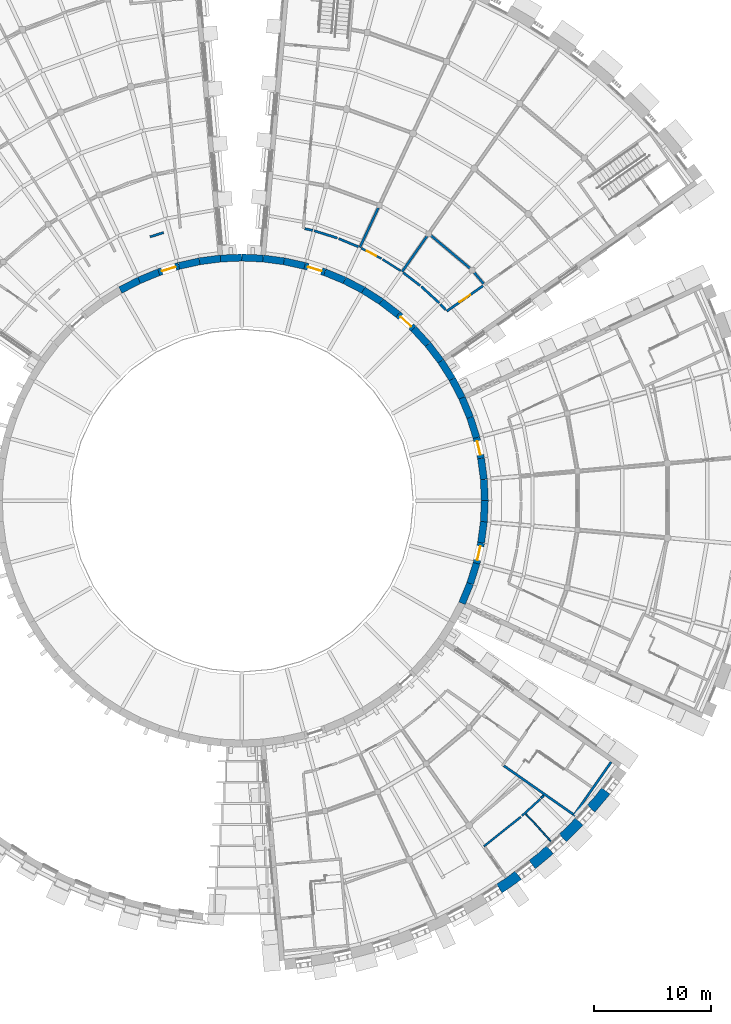
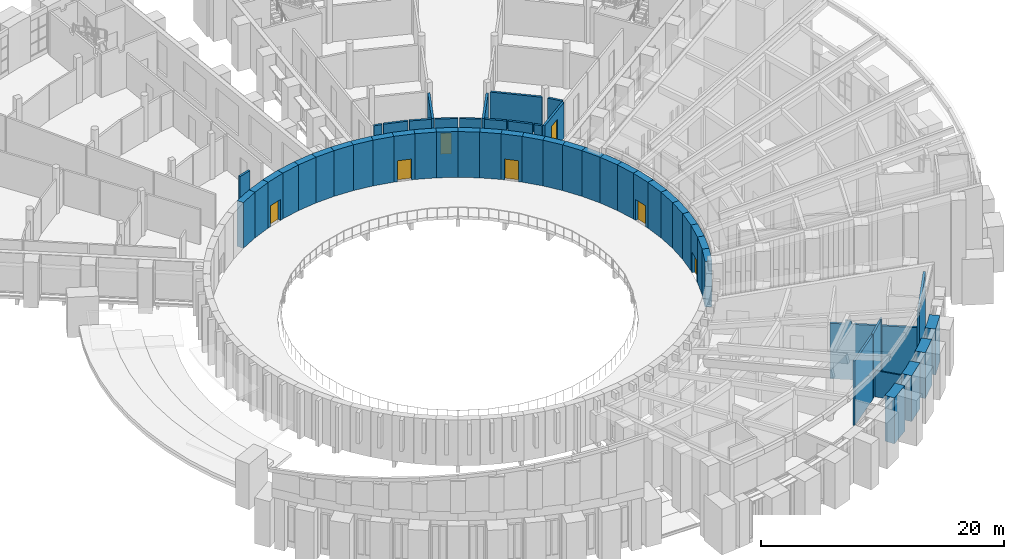
# One storey, part 27 of 50: 53 walls, 7 doors, 7 openings.
"""IFC4 building model written with IfcOpenShell, lengths in metres."""

import ifcopenshell
import ifcopenshell.guid

model = None  # the IFC model being written
_history = None  # IfcOwnerHistory: only IFC2X3 demands one
_inside = {}  # id of a spatial element -> (the spatial element, [elements in it])
_under = {}  # id of a project, library or spatial element -> (it, [spatial elements below it])
_declared = {}  # id of a project -> (the project, [libraries it declares])
_typed = {}  # id of a type object -> (the type object, [elements of that type])
_made_of = {}  # id of a material, layer set ... -> (it, [elements and type objects made of it])


def new_model(schema):
    """Start an empty IFC model of exactly this schema.

    Asked for "IFC4X3", IfcOpenShell would pick the latest addendum, in which some entities
    have other attributes; the version numbers below select the first issue.
    IFC2X3 requires an IfcOwnerHistory on every rooted entity: one is made here for all.
    """
    global model, _history
    if schema == "IFC4X3":
        model = ifcopenshell.file(schema_version=(4, 3, 0, 0))
    else:
        model = ifcopenshell.file(schema=schema)
    _inside.clear()
    _under.clear()
    _declared.clear()
    _typed.clear()
    _made_of.clear()
    _history = None
    if model.schema == "IFC2X3":
        org = make("IfcOrganization", Name="unknown")
        user = make(
            "IfcPersonAndOrganization",
            ThePerson=make("IfcPerson", FamilyName="unknown"),
            TheOrganization=org,
        )
        app = make(
            "IfcApplication",
            ApplicationDeveloper=org,
            Version="unknown",
            ApplicationFullName="unknown",
            ApplicationIdentifier="unknown",
        )
        _history = make(
            "IfcOwnerHistory",
            OwningUser=user,
            OwningApplication=app,
            ChangeAction="ADDED",
            CreationDate=0,
        )
    return model


def make(cls, **values):
    """One entity of the class cls with the attributes given. An attribute that is None is left unset."""
    return model.create_entity(
        cls, **{name: value for name, value in values.items() if value is not None}
    )


def rooted(cls, **values):
    """An entity with a GlobalId (a new one), such as an element, a storey or a relation."""
    return make(cls, GlobalId=ifcopenshell.guid.new(), OwnerHistory=_history, **values)


def si_unit(unit_type, name, prefix=None):
    """IfcSIUnit, for example si_unit("LENGTHUNIT", "METRE", prefix="MILLI")."""
    return make("IfcSIUnit", UnitType=unit_type, Prefix=prefix, Name=name)


def assignment(units):
    """IfcUnitAssignment: the units of a project."""
    return None if units is None else make("IfcUnitAssignment", Units=units)


def point(xyz):
    """IfcCartesianPoint."""
    return None if xyz is None else make("IfcCartesianPoint", Coordinates=xyz)


def direction(xyz):
    """IfcDirection."""
    return None if xyz is None else make("IfcDirection", DirectionRatios=xyz)


def frame(location, z_axis=None, x_axis=None):
    """IfcAxis2Placement3D, a coordinate frame: its origin and axes. An axis left out is left unset."""
    return make(
        "IfcAxis2Placement3D",
        Location=point(location),
        Axis=direction(z_axis),
        RefDirection=direction(x_axis),
    )


def frame_2d(location, x_axis=None):
    """IfcAxis2Placement2D, a coordinate frame in the plane: its origin and x axis."""
    return make(
        "IfcAxis2Placement2D", Location=point(location), RefDirection=direction(x_axis)
    )


def origin():
    """The frame at (0, 0, 0) with its axes left unset."""
    return frame((0.0, 0.0, 0.0))


def place(relative_to, where):
    """IfcLocalPlacement: puts the frame where relative to a parent placement (None: the world)."""
    return make(
        "IfcLocalPlacement", PlacementRelTo=relative_to, RelativePlacement=where
    )


def context(
    kind, dimensions, precision=None, world=None, true_north=None, identifier=None
):
    """IfcGeometricRepresentationContext, for example the 3D "Model" context."""
    return make(
        "IfcGeometricRepresentationContext",
        ContextIdentifier=identifier,
        ContextType=kind,
        CoordinateSpaceDimension=dimensions,
        Precision=precision,
        WorldCoordinateSystem=world,
        TrueNorth=true_north,
    )


def subcontext(parent, identifier, kind, view, scale=None):
    """IfcGeometricRepresentationSubContext, for example "Body" below "Model"."""
    return make(
        "IfcGeometricRepresentationSubContext",
        ContextIdentifier=identifier,
        ContextType=kind,
        ParentContext=parent,
        TargetScale=scale,
        TargetView=view,
    )


def project(units=None, contexts=None):
    """IfcProject with its units and contexts."""
    return rooted(
        "IfcProject",
        Name="project",
        RepresentationContexts=contexts,
        UnitsInContext=assignment(units),
    )


def spatial(cls, under=None, at=None, **own):
    """A site, building, storey or space (cls), placed at a placement, below another one or the project."""
    s = rooted(cls, ObjectPlacement=at, **own)
    if under is not None:
        _under.setdefault(under.id(), (under, []))[1].append(s)
    return s


def polyline(points):
    """IfcPolyline through the points."""
    return make("IfcPolyline", Points=[point(p) for p in points])


def profile(cls, at=None, kind="AREA", **sizes):
    """A parametric profile (cls). Its sizes go by their IFC names, for example OverallWidth=200.0."""
    return make(cls, ProfileType=kind, Position=at, **sizes)


def rectangle(**sizes):
    """IfcRectangleProfileDef."""
    return profile("IfcRectangleProfileDef", **sizes)


def outline(outer, holes=None, kind="AREA"):
    """IfcArbitraryClosedProfileDef: a profile drawn as a closed curve; with holes, ...WithVoids."""
    if holes is None:
        return make("IfcArbitraryClosedProfileDef", ProfileType=kind, OuterCurve=outer)
    return make(
        "IfcArbitraryProfileDefWithVoids",
        ProfileType=kind,
        OuterCurve=outer,
        InnerCurves=holes,
    )


def extrude(swept, where, along, depth):
    """IfcExtrudedAreaSolid: the profile swept, set in the frame where, extruded along a direction by depth."""
    return make(
        "IfcExtrudedAreaSolid",
        SweptArea=swept,
        Position=where,
        ExtrudedDirection=direction(along),
        Depth=depth,
    )


def shape(context_of_items, identifier, shape_type, items):
    """IfcShapeRepresentation: the items that make up one representation, for example the "Body"."""
    return make(
        "IfcShapeRepresentation",
        ContextOfItems=context_of_items,
        RepresentationIdentifier=identifier,
        RepresentationType=shape_type,
        Items=items,
    )


def material(Name=None, Category=None):
    """IfcMaterial."""
    return make("IfcMaterial", Name=Name, Category=Category)


def layer(
    of_material, thickness, ventilated=None, Name=None, Category=None, Priority=None
):
    """IfcMaterialLayer: one layer of a wall or slab, of a material (None: an air gap)."""
    return make(
        "IfcMaterialLayer",
        Material=of_material,
        LayerThickness=thickness,
        IsVentilated=ventilated,
        Name=Name,
        Category=Category,
        Priority=Priority,
    )


def layer_set(layers, Name=None):
    """IfcMaterialLayerSet."""
    return make("IfcMaterialLayerSet", MaterialLayers=layers, LayerSetName=Name)


def made_of(thing, what):
    """Note that an element or type object is made of a material, layer set ...; save() writes the relation."""
    if what is not None:
        _made_of.setdefault(what.id(), (what, []))[1].append(thing)
    return thing


def type_object(cls, material=None, **own):
    """A type object (cls), such as IfcWallType, which elements share."""
    return made_of(rooted(cls, **own), material)


def element(
    cls,
    number,
    at=None,
    inside=None,
    cuts=None,
    type_object=None,
    material=None,
    context=None,
    identifier="Body",
    shape_type=None,
    held_by="IfcProductDefinitionShape",
    body=None,
    shapes=None,
    **own,
):
    """One element of the class cls, such as IfcWall. Its Tag is "e" and its number.

    at: its placement. inside: the storey or other place that contains it. cuts: it is an
    opening in that element (IfcRelVoidsElement). A single representation is given by context,
    identifier, shape_type and body (its items); several are given by shapes. held_by: the class
    of the entity that holds the representations. save() writes the other relations.
    """
    e = rooted(cls, Tag="e%d" % number, ObjectPlacement=at, **own)
    if body is not None:
        shapes = [shape(context, identifier, shape_type, body)]
    if shapes is not None:
        e.Representation = make(held_by, Representations=shapes)
    if inside is not None:
        _inside.setdefault(inside.id(), (inside, []))[1].append(e)
    if cuts is not None:
        rooted(
            "IfcRelVoidsElement", RelatingBuildingElement=cuts, RelatedOpeningElement=e
        )
    if type_object is not None:
        _typed.setdefault(type_object.id(), (type_object, []))[1].append(e)
    return made_of(e, material)


def fill(opening, filler):
    """IfcRelFillsElement: the door or window that sits in an opening."""
    return rooted(
        "IfcRelFillsElement",
        RelatingOpeningElement=opening,
        RelatedBuildingElement=filler,
    )


def aggregate(whole, parts):
    """IfcRelAggregates: a whole, such as a stair, and the parts it consists of."""
    return rooted("IfcRelAggregates", RelatingObject=whole, RelatedObjects=parts)


def save(model, path):
    """Write the relations noted so far, then the file.

    IfcRelAggregates (storeys below a building ...), IfcRelContainedInSpatialStructure (elements
    in a storey), IfcRelDefinesByType, IfcRelAssociatesMaterial and IfcRelDeclares: one each for
    every whole, place, type object, material and project.
    """
    for whole, parts in _under.values():
        aggregate(whole, parts)
    for where, things in _inside.values():
        rooted(
            "IfcRelContainedInSpatialStructure",
            RelatedElements=things,
            RelatingStructure=where,
        )
    for kind, things in _typed.values():
        rooted("IfcRelDefinesByType", RelatedObjects=things, RelatingType=kind)
    for what, things in _made_of.values():
        rooted("IfcRelAssociatesMaterial", RelatedObjects=things, RelatingMaterial=what)
    for by, libraries in _declared.values():
        rooted("IfcRelDeclares", RelatingContext=by, RelatedDefinitions=libraries)
    model.write(path)


model = new_model("IFC4")

# Units and contexts
model_context = context("Model", 3, precision=1e-05, world=origin(), true_north=direction((0.0, 1.0)))
body_context = subcontext(model_context, "Body", "Model", "MODEL_VIEW")
ifc_project = project(units=[si_unit("LENGTHUNIT", "METRE"), si_unit("AREAUNIT", "SQUARE_METRE"), si_unit("VOLUMEUNIT", "CUBIC_METRE"), si_unit("PLANEANGLEUNIT", "RADIAN"), si_unit("MASSUNIT", "GRAM", prefix="KILO")], contexts=[model_context])

# Site, building, storey
site_placement = place(None, origin())
site = spatial("IfcSite", under=ifc_project, at=site_placement, CompositionType="ELEMENT")
building_placement = place(site_placement, origin())
building = spatial("IfcBuilding", under=site, at=building_placement, Name="Volute Hill Aquarium", CompositionType="ELEMENT")
storey_placement = place(building_placement, frame((0.0, 0.0, 9.199951171875)))
storey = spatial("IfcBuildingStorey", under=building, at=storey_placement, Name="L03", CompositionType="ELEMENT", Elevation=9.199951171875)

# Walls
ifc_material_1 = material(Name="Concrete C30/37", Category="concrete")
ifc_layer_1 = layer(ifc_material_1, 0.199951171875)
ifc_layer_set_1 = layer_set([ifc_layer_1], Name="Core wall 200 REI 60")
wall_type_1 = type_object("IfcWallType", Name="Core wall 200 REI 60", PredefinedType="SHEAR", material=ifc_layer_set_1)
wall_1_placement = place(storey_placement, frame((22.3291015625, -22.593505859375, 0.0), z_axis=(0.0, 0.0, 1.0), x_axis=(0.819161821637, -0.573562472597, 0.0)))
element("IfcWall", 1, at=wall_1_placement, inside=storey, type_object=wall_type_1, Name="wc/S3-B/L03/side", PredefinedType="SHEAR", context=body_context, shape_type="SweptSolid", body=[
    extrude(outline(polyline([(0.0, 0.0), (7.199951171875, 0.0), (7.199951171875, 5.5732421875), (1.794189453125, 5.5732421875), (1.744140625, 5.923828125), (1.244140625, 5.923828125), (1.194091796875, 5.5732421875), (0.0, 5.5732421875), (0.0, 0.0)])), frame((0.0, 0.10009765625, 0.0), z_axis=(0.0, -1.0, 0.0), x_axis=(1.0, 0.0, 0.0)), (0.0, 0.0, 1.0), 0.199951171875),
])
wall_2_placement = place(storey_placement, frame((31.463623046875, -22.275146484375, 0.0), z_axis=(0.0, 0.0, 1.0), x_axis=(-0.573550118428, -0.819170471667, 0.0)))
element("IfcWall", 2, at=wall_2_placement, inside=storey, type_object=wall_type_1, Name="wc/S3-B/L03/out", PredefinedType="SHEAR", context=body_context, shape_type="SweptSolid", body=[
    extrude(outline(polyline([(0.0, 0.0), (5.60009765625, 0.0), (5.60009765625, 7.317626953125), (5.550048828125, 7.507568359375), (5.24462890625, 7.507568359375), (5.194580078125, 7.317626953125), (0.0, 7.317626953125), (0.0, 0.0)])), frame((0.0, 0.10009765625, 0.0), z_axis=(0.0, -1.0, 0.0), x_axis=(1.0, 0.0, 0.0)), (0.0, 0.0, 1.0), 0.199951171875),
])
ifc_material_2 = material(Name="Gypsum board on steel studs", Category="steel")
ifc_layer_2 = layer(ifc_material_2, 0.175048828125)
ifc_layer_set_2 = layer_set([ifc_layer_2], Name="Corridor partition 175 EI 60")
wall_type_2 = type_object("IfcWallType", Name="Corridor partition 175 EI 60", PredefinedType="PARTITIONING", material=ifc_layer_set_2)
wall_3_placement = place(storey_placement, frame((20.625732421875, -29.456787109375, 0.0), z_axis=(0.0, 0.0, 1.0), x_axis=(0.781508116211, 0.62389507475, 0.0)))
element("IfcWall", 3, at=wall_3_placement, inside=storey, type_object=wall_type_2, Name="pw/S3/L03/010", PredefinedType="PARTITIONING", context=body_context, shape_type="SweptSolid", body=[
    extrude(rectangle(XDim=4.021240234375, YDim=0.175048828125, at=frame_2d((2.0107421875, 0.0))), origin(), (0.0, 0.0, 1.0), 6.4677734375),
])
wall_4_placement = place(storey_placement, frame((25.427490234375, -25.427490234375, 0.0), z_axis=(0.0, 0.0, 1.0), x_axis=(-0.737236152482, -0.675635149673, 0.0)))
element("IfcWall", 4, at=wall_4_placement, inside=storey, type_object=wall_type_2, Name="pw/S3/L03/015", PredefinedType="PARTITIONING", context=body_context, shape_type="SweptSolid", body=[
    extrude(rectangle(XDim=2.1005859375, YDim=0.175048828125, at=frame_2d((1.05029296875, 0.0))), origin(), (0.0, 0.0, 1.0), 6.4677734375),
])
wall_5_placement = place(storey_placement, frame((25.7099609375, -25.119384765625, 0.0), z_axis=(0.0, 0.0, 1.0), x_axis=(-0.675135778932, -0.737693486487, 0.0)))
element("IfcWall", 5, at=wall_5_placement, inside=storey, type_object=wall_type_2, Name="pw/S3/L03/028", PredefinedType="PARTITIONING", context=body_context, shape_type="SweptSolid", body=[
    extrude(rectangle(XDim=0.300537109375, YDim=0.175048828125, at=frame_2d((0.150390625, 0.0))), origin(), (0.0, 0.0, 1.0), 6.46923828125),
])

# Wall, opening, door
wall_6_placement = place(storey_placement, frame((10.173583984375, 21.510009765625, 0.0), z_axis=(0.0, 0.0, 1.0), x_axis=(0.887007216852, -0.461755560067, 0.0)))
wall_6 = element("IfcWall", 6, at=wall_6_placement, inside=storey, type_object=wall_type_2, Name="pw/S5/L03/026", PredefinedType="PARTITIONING", context=body_context, shape_type="SweptSolid", body=[
    extrude(rectangle(XDim=1.9462890625, YDim=0.175048828125, at=frame_2d((0.97314453125, 0.0))), origin(), (0.0, 0.0, 1.0), 3.590087890625),
])
opening_1_placement = place(wall_6_placement, frame((0.523193359375, 0.0, 0.0)))
opening_1 = element("IfcOpeningElement", 7, at=opening_1_placement, cuts=wall_6, Name="Opening D5.03.01", PredefinedType="OPENING", context=body_context, shape_type="SweptSolid", body=[
    extrude(rectangle(XDim=0.89990234375, YDim=2.10009765625, at=frame_2d((0.449951171875, 1.050048828125))), frame((0.0, 0.097412109375, 0.0), z_axis=(0.0, -1.0, 0.0), x_axis=(1.0, 0.0, 0.0)), (0.0, 0.0, 1.0), 0.195068359375),
])
ifc_material_3 = material(Name="Timber, fire-rated", Category="wood")
door_type_1 = type_object("IfcDoorType", Name="Door 900 x 2100 wc single EI1 30", OperationType="SINGLE_SWING_LEFT", PredefinedType="DOOR", material=ifc_material_3)
door_1_placement = place(opening_1_placement, origin())
door_1 = element("IfcDoor", 8, at=door_1_placement, inside=storey, type_object=door_type_1, Name="d/S5/L03/01", OperationType="SINGLE_SWING_LEFT", OverallHeight=2.10009765625, OverallWidth=0.89990234375, PredefinedType="DOOR", context=body_context, shape_type="SweptSolid", body=[
    extrude(rectangle(XDim=0.89990234375, YDim=2.10009765625, at=frame_2d((0.449951171875, 1.050048828125))), frame((0.0, 0.02490234375, 0.0), z_axis=(0.0, -1.0, 0.0), x_axis=(1.0, 0.0, 0.0)), (0.0, 0.0, 1.0), 0.050048828125),
])
fill(opening_1, door_1)

# Walls
wall_7_placement = place(storey_placement, frame((11.9990234375, 20.54833984375, 0.0), z_axis=(0.0, 0.0, 1.0), x_axis=(0.843392045151, -0.537298667574, 0.0)))
element("IfcWall", 9, at=wall_7_placement, inside=storey, type_object=wall_type_2, Name="pw/S5/L03/028", PredefinedType="PARTITIONING", context=body_context, shape_type="SweptSolid", body=[
    extrude(rectangle(XDim=1.828857421875, YDim=0.175048828125, at=frame_2d((0.91455078125, 0.0))), origin(), (0.0, 0.0, 1.0), 3.590087890625),
])
ifc_material_4 = material(Name="Concrete C35/45", Category="concrete")
ifc_layer_3 = layer(ifc_material_4, 0.60009765625)
ifc_layer_set_3 = layer_set([ifc_layer_3], Name="Drum wall C35/45 600")
wall_type_3 = type_object("IfcWallType", Name="Drum wall C35/45 600", PredefinedType="SHEAR", material=ifc_layer_set_3)
wall_8_placement = place(storey_placement, frame((20.699951171875, 0.0, 0.0), z_axis=(0.0, 0.0, 1.0), x_axis=(-0.043666024022, 0.999046184291, 0.0)))
element("IfcWall", 10, at=wall_8_placement, inside=storey, type_object=wall_type_3, Name="sw/DR/L03/0", PredefinedType="SHEAR", context=body_context, shape_type="SweptSolid", body=[
    extrude(rectangle(XDim=1.805908203125, YDim=0.60009765625, at=frame_2d((0.90283203125, 0.0))), origin(), (0.0, 0.0, 1.0), 4.60009765625),
])
wall_9_placement = place(storey_placement, frame((20.62109375, 1.80419921875, 0.0), z_axis=(0.0, 0.0, 1.0), x_axis=(-0.130471999813, 0.991451994433, 0.0)))
element("IfcWall", 11, at=wall_9_placement, inside=storey, type_object=wall_type_3, Name="sw/DR/L03/1", PredefinedType="SHEAR", context=body_context, shape_type="SweptSolid", body=[
    extrude(rectangle(XDim=1.8056640625, YDim=0.60009765625, at=frame_2d((0.90283203125, 0.0))), origin(), (0.0, 0.0, 1.0), 4.60009765625),
])

# Wall, opening, door
wall_10_placement = place(storey_placement, frame((20.385498046875, 3.594482421875, 0.0), z_axis=(0.0, 0.0, 1.0), x_axis=(-0.216429453554, 0.976298259567, 0.0)))
wall_10 = element("IfcWall", 12, at=wall_10_placement, inside=storey, type_object=wall_type_3, Name="sw/DR/L03/2", PredefinedType="SHEAR", context=body_context, shape_type="SweptSolid", body=[
    extrude(rectangle(XDim=1.805908203125, YDim=0.60009765625, at=frame_2d((0.90283203125, 0.0))), origin(), (0.0, 0.0, 1.0), 4.60009765625),
])
opening_2_placement = place(wall_10_placement, frame((0.302978515625, 0.0, 0.0)))
opening_2 = element("IfcOpeningElement", 13, at=opening_2_placement, cuts=wall_10, Name="Opening D4.03.R2", PredefinedType="OPENING", context=body_context, shape_type="SweptSolid", body=[
    extrude(rectangle(XDim=1.199951171875, YDim=2.10009765625, at=frame_2d((0.60009765625, 1.050048828125))), frame((0.0, 0.31005859375, 0.0), z_axis=(0.0, -1.0, 0.0), x_axis=(1.0, 0.0, 0.0)), (0.0, 0.0, 1.0), 0.6201171875),
])
ifc_material_5 = material(Name="Timber", Category="wood")
door_type_2 = type_object("IfcDoorType", Name="Door 1200 x 2100 drum double", OperationType="DOUBLE_DOOR_SINGLE_SWING", PredefinedType="DOOR", material=ifc_material_5)
door_2_placement = place(opening_2_placement, origin())
door_2 = element("IfcDoor", 14, at=door_2_placement, inside=storey, type_object=door_type_2, Name="d/S4/L03/dr2", OperationType="SINGLE_SWING_LEFT", OverallHeight=2.10009765625, OverallWidth=1.199951171875, PredefinedType="DOOR", context=body_context, shape_type="SweptSolid", body=[
    extrude(rectangle(XDim=1.199951171875, YDim=2.10009765625, at=frame_2d((0.60009765625, 1.050048828125))), frame((0.0, 0.02490234375, 0.0), z_axis=(0.0, -1.0, 0.0), x_axis=(1.0, 0.0, 0.0)), (0.0, 0.0, 1.0), 0.050048828125),
])
fill(opening_2, door_2)

# Walls
wall_11_placement = place(storey_placement, frame((19.99462890625, 5.357666015625, 0.0), z_axis=(0.0, 0.0, 1.0), x_axis=(-0.300691330354, 0.953721512733, 0.0)))
element("IfcWall", 15, at=wall_11_placement, inside=storey, type_object=wall_type_3, Name="sw/DR/L03/3", PredefinedType="SHEAR", context=body_context, shape_type="SweptSolid", body=[
    extrude(rectangle(XDim=1.8056640625, YDim=0.60009765625, at=frame_2d((0.90283203125, 0.0))), origin(), (0.0, 0.0, 1.0), 4.60009765625),
])
for number, where, z_axis, x_axis, name in (
    (16, (19.45166015625, 7.079833984375, 0.0), (0.0, 0.0, 1.0), (-0.382713954298, 0.923866889322, 0.0), "sw/DR/L03/4"),
    (17, (18.760498046875, 8.748291015625, 0.0), (0.0, 0.0, 1.0), (-0.461701764231, 0.887035219654, 0.0), "sw/DR/L03/5"),
    (18, (17.9267578125, 10.35009765625, 0.0), (0.0, 0.0, 1.0), (-0.537391510251, 0.843332890803, 0.0), "sw/DR/L03/6"),
):
    element("IfcWall", number, at=place(storey_placement, frame(where, z_axis=z_axis, x_axis=x_axis)), inside=storey, type_object=wall_type_3, Name=name, PredefinedType="SHEAR", context=body_context, shape_type="SweptSolid", body=[
        extrude(rectangle(XDim=1.805908203125, YDim=0.60009765625, at=frame_2d((0.90283203125, 0.0))), origin(), (0.0, 0.0, 1.0), 4.60009765625),
    ])
wall_12_placement = place(storey_placement, frame((16.956298828125, 11.873046875, 0.0), z_axis=(0.0, 0.0, 1.0), x_axis=(-0.608704004289, 0.793397400526, 0.0)))
element("IfcWall", 19, at=wall_12_placement, inside=storey, type_object=wall_type_3, Name="sw/DR/L03/7", PredefinedType="SHEAR", context=body_context, shape_type="SweptSolid", body=[
    extrude(rectangle(XDim=1.8056640625, YDim=0.60009765625, at=frame_2d((0.90283203125, 0.0))), origin(), (0.0, 0.0, 1.0), 4.60009765625),
])
wall_13_placement = place(storey_placement, frame((15.857177734375, 13.3056640625, 0.0), z_axis=(0.0, 0.0, 1.0), x_axis=(-0.675540954152, 0.737322466268, 0.0)))
element("IfcWall", 20, at=wall_13_placement, inside=storey, type_object=wall_type_3, Name="sw/DR/L03/8", PredefinedType="SHEAR", context=body_context, shape_type="SweptSolid", body=[
    extrude(rectangle(XDim=1.805908203125, YDim=0.60009765625, at=frame_2d((0.90283203125, 0.0))), origin(), (0.0, 0.0, 1.0), 4.60009765625),
])

# Wall, opening, door
wall_14_placement = place(storey_placement, frame((14.63720703125, 14.63720703125, 0.0), z_axis=(0.0, 0.0, 1.0), x_axis=(-0.737322466268, 0.675540954152, 0.0)))
wall_14 = element("IfcWall", 21, at=wall_14_placement, inside=storey, type_object=wall_type_3, Name="sw/DR/L03/9", PredefinedType="SHEAR", context=body_context, shape_type="SweptSolid", body=[
    extrude(rectangle(XDim=1.805908203125, YDim=0.60009765625, at=frame_2d((0.90283203125, 0.0))), origin(), (0.0, 0.0, 1.0), 4.60009765625),
])
opening_3_placement = place(wall_14_placement, frame((0.302978515625, 0.0, 0.0)))
opening_3 = element("IfcOpeningElement", 22, at=opening_3_placement, cuts=wall_14, Name="Opening D5.03.R1", PredefinedType="OPENING", context=body_context, shape_type="SweptSolid", body=[
    extrude(rectangle(XDim=1.199951171875, YDim=2.10009765625, at=frame_2d((0.60009765625, 1.050048828125))), frame((0.0, 0.31005859375, 0.0), z_axis=(0.0, -1.0, 0.0), x_axis=(1.0, 0.0, 0.0)), (0.0, 0.0, 1.0), 0.6201171875),
])
door_3_placement = place(opening_3_placement, origin())
door_3 = element("IfcDoor", 23, at=door_3_placement, inside=storey, type_object=door_type_2, Name="d/S5/L03/dr1", OperationType="SINGLE_SWING_LEFT", OverallHeight=2.10009765625, OverallWidth=1.199951171875, PredefinedType="DOOR", context=body_context, shape_type="SweptSolid", body=[
    extrude(rectangle(XDim=1.199951171875, YDim=2.10009765625, at=frame_2d((0.60009765625, 1.050048828125))), frame((0.0, 0.02490234375, 0.0), z_axis=(0.0, -1.0, 0.0), x_axis=(1.0, 0.0, 0.0)), (0.0, 0.0, 1.0), 0.050048828125),
])
fill(opening_3, door_3)

# Walls
wall_15_placement = place(storey_placement, frame((13.3056640625, 15.857177734375, 0.0), z_axis=(0.0, 0.0, 1.0), x_axis=(-0.793397400526, 0.608704004289, 0.0)))
element("IfcWall", 24, at=wall_15_placement, inside=storey, type_object=wall_type_3, Name="sw/DR/L03/10", PredefinedType="SHEAR", context=body_context, shape_type="SweptSolid", body=[
    extrude(rectangle(XDim=1.8056640625, YDim=0.60009765625, at=frame_2d((0.90283203125, 0.0))), origin(), (0.0, 0.0, 1.0), 4.60009765625),
])
for number, where, z_axis, x_axis, name in (
    (25, (11.873046875, 16.956298828125, 0.0), (0.0, 0.0, 1.0), (-0.843332890803, 0.537391510251, 0.0), "sw/DR/L03/11"),
    (26, (10.35009765625, 17.9267578125, 0.0), (0.0, 0.0, 1.0), (-0.887035219654, 0.461701764231, 0.0), "sw/DR/L03/12"),
    (27, (8.748291015625, 18.760498046875, 0.0), (0.0, 0.0, 1.0), (-0.923866889322, 0.382713954298, 0.0), "sw/DR/L03/13"),
):
    element("IfcWall", number, at=place(storey_placement, frame(where, z_axis=z_axis, x_axis=x_axis)), inside=storey, type_object=wall_type_3, Name=name, PredefinedType="SHEAR", context=body_context, shape_type="SweptSolid", body=[
        extrude(rectangle(XDim=1.805908203125, YDim=0.60009765625, at=frame_2d((0.90283203125, 0.0))), origin(), (0.0, 0.0, 1.0), 4.60009765625),
    ])

# Wall, opening, door
wall_16_placement = place(storey_placement, frame((7.079833984375, 19.45166015625, 0.0), z_axis=(0.0, 0.0, 1.0), x_axis=(-0.953721512733, 0.300691330354, 0.0)))
wall_16 = element("IfcWall", 28, at=wall_16_placement, inside=storey, type_object=wall_type_3, Name="sw/DR/L03/14", PredefinedType="SHEAR", context=body_context, shape_type="SweptSolid", body=[
    extrude(rectangle(XDim=1.8056640625, YDim=0.60009765625, at=frame_2d((0.90283203125, 0.0))), origin(), (0.0, 0.0, 1.0), 4.60009765625),
])
opening_4_placement = place(wall_16_placement, frame((0.302978515625, 0.0, 0.0)))
opening_4 = element("IfcOpeningElement", 29, at=opening_4_placement, cuts=wall_16, Name="Opening D5.03.R2", PredefinedType="OPENING", context=body_context, shape_type="SweptSolid", body=[
    extrude(rectangle(XDim=1.199951171875, YDim=2.10009765625, at=frame_2d((0.60009765625, 1.050048828125))), frame((0.0, 0.31005859375, 0.0), z_axis=(0.0, -1.0, 0.0), x_axis=(1.0, 0.0, 0.0)), (0.0, 0.0, 1.0), 0.6201171875),
])
door_4_placement = place(opening_4_placement, origin())
door_4 = element("IfcDoor", 30, at=door_4_placement, inside=storey, type_object=door_type_2, Name="d/S5/L03/dr2", OperationType="SINGLE_SWING_LEFT", OverallHeight=2.10009765625, OverallWidth=1.199951171875, PredefinedType="DOOR", context=body_context, shape_type="SweptSolid", body=[
    extrude(rectangle(XDim=1.199951171875, YDim=2.10009765625, at=frame_2d((0.60009765625, 1.050048828125))), frame((0.0, 0.02490234375, 0.0), z_axis=(0.0, -1.0, 0.0), x_axis=(1.0, 0.0, 0.0)), (0.0, 0.0, 1.0), 0.050048828125),
])
fill(opening_4, door_4)

# Walls
wall_17_placement = place(storey_placement, frame((5.357666015625, 19.99462890625, 0.0), z_axis=(0.0, 0.0, 1.0), x_axis=(-0.976298259567, 0.216429453554, 0.0)))
element("IfcWall", 31, at=wall_17_placement, inside=storey, type_object=wall_type_3, Name="sw/DR/L03/15", PredefinedType="SHEAR", context=body_context, shape_type="SweptSolid", body=[
    extrude(rectangle(XDim=1.805908203125, YDim=0.60009765625, at=frame_2d((0.90283203125, 0.0))), origin(), (0.0, 0.0, 1.0), 4.60009765625),
])
wall_18_placement = place(storey_placement, frame((3.594482421875, 20.385498046875, 0.0), z_axis=(0.0, 0.0, 1.0), x_axis=(-0.991451994433, 0.130471999813, 0.0)))
element("IfcWall", 32, at=wall_18_placement, inside=storey, type_object=wall_type_3, Name="sw/DR/L03/16", PredefinedType="SHEAR", context=body_context, shape_type="SweptSolid", body=[
    extrude(rectangle(XDim=1.8056640625, YDim=0.60009765625, at=frame_2d((0.90283203125, 0.0))), origin(), (0.0, 0.0, 1.0), 4.60009765625),
])
for number, where, z_axis, x_axis, name in (
    (33, (1.80419921875, 20.62109375, 0.0), (0.0, 0.0, 1.0), (-0.999046184291, 0.043666024022, 0.0), "sw/DR/L03/17"),
    (34, (0.0, 20.699951171875, 0.0), (0.0, 0.0, 1.0), (-0.999046184291, -0.043666024022, 0.0), "sw/DR/L03/18"),
):
    element("IfcWall", number, at=place(storey_placement, frame(where, z_axis=z_axis, x_axis=x_axis)), inside=storey, type_object=wall_type_3, Name=name, PredefinedType="SHEAR", context=body_context, shape_type="SweptSolid", body=[
        extrude(rectangle(XDim=1.805908203125, YDim=0.60009765625, at=frame_2d((0.90283203125, 0.0))), origin(), (0.0, 0.0, 1.0), 4.60009765625),
    ])
wall_19_placement = place(storey_placement, frame((-1.80419921875, 20.62109375, 0.0), z_axis=(0.0, 0.0, 1.0), x_axis=(-0.991451994433, -0.130471999813, 0.0)))
element("IfcWall", 35, at=wall_19_placement, inside=storey, type_object=wall_type_3, Name="sw/DR/L03/19", PredefinedType="SHEAR", context=body_context, shape_type="SweptSolid", body=[
    extrude(rectangle(XDim=1.8056640625, YDim=0.60009765625, at=frame_2d((0.90283203125, 0.0))), origin(), (0.0, 0.0, 1.0), 4.60009765625),
])
wall_20_placement = place(storey_placement, frame((-3.594482421875, 20.385498046875, 0.0), z_axis=(0.0, 0.0, 1.0), x_axis=(-0.976298259567, -0.216429453554, 0.0)))
element("IfcWall", 36, at=wall_20_placement, inside=storey, type_object=wall_type_3, Name="sw/DR/L03/20", PredefinedType="SHEAR", context=body_context, shape_type="SweptSolid", body=[
    extrude(rectangle(XDim=1.805908203125, YDim=0.60009765625, at=frame_2d((0.90283203125, 0.0))), origin(), (0.0, 0.0, 1.0), 4.60009765625),
])

# Wall, opening, door
wall_21_placement = place(storey_placement, frame((-5.357666015625, 19.99462890625, 0.0), z_axis=(0.0, 0.0, 1.0), x_axis=(-0.953721512733, -0.300691330354, 0.0)))
wall_21 = element("IfcWall", 37, at=wall_21_placement, inside=storey, type_object=wall_type_3, Name="sw/DR/L03/21", PredefinedType="SHEAR", context=body_context, shape_type="SweptSolid", body=[
    extrude(rectangle(XDim=1.8056640625, YDim=0.60009765625, at=frame_2d((0.90283203125, 0.0))), origin(), (0.0, 0.0, 1.0), 4.60009765625),
])
opening_5_placement = place(wall_21_placement, frame((0.302978515625, 0.0, 0.0)))
opening_5 = element("IfcOpeningElement", 38, at=opening_5_placement, cuts=wall_21, Name="Opening D6.03.R1", PredefinedType="OPENING", context=body_context, shape_type="SweptSolid", body=[
    extrude(rectangle(XDim=1.199951171875, YDim=2.10009765625, at=frame_2d((0.60009765625, 1.050048828125))), frame((0.0, 0.31005859375, 0.0), z_axis=(0.0, -1.0, 0.0), x_axis=(1.0, 0.0, 0.0)), (0.0, 0.0, 1.0), 0.6201171875),
])
door_5_placement = place(opening_5_placement, origin())
door_5 = element("IfcDoor", 39, at=door_5_placement, inside=storey, type_object=door_type_2, Name="d/S6/L03/dr1", OperationType="SINGLE_SWING_LEFT", OverallHeight=2.10009765625, OverallWidth=1.199951171875, PredefinedType="DOOR", context=body_context, shape_type="SweptSolid", body=[
    extrude(rectangle(XDim=1.199951171875, YDim=2.10009765625, at=frame_2d((0.60009765625, 1.050048828125))), frame((0.0, 0.02490234375, 0.0), z_axis=(0.0, -1.0, 0.0), x_axis=(1.0, 0.0, 0.0)), (0.0, 0.0, 1.0), 0.050048828125),
])
fill(opening_5, door_5)

# Walls
for number, where, z_axis, x_axis, name in (
    (40, (-7.079833984375, 19.45166015625, 0.0), (0.0, 0.0, 1.0), (-0.923866889322, -0.382713954298, 0.0), "sw/DR/L03/22"),
    (41, (-8.748291015625, 18.760498046875, 0.0), (0.0, 0.0, 1.0), (-0.887035219654, -0.461701764231, 0.0), "sw/DR/L03/23"),
    (42, (18.760498046875, -8.748291015625, 0.0), (0.0, 0.0, 1.0), (0.382713954298, 0.923866889322, 0.0), "sw/DR/L03/67"),
):
    element("IfcWall", number, at=place(storey_placement, frame(where, z_axis=z_axis, x_axis=x_axis)), inside=storey, type_object=wall_type_3, Name=name, PredefinedType="SHEAR", context=body_context, shape_type="SweptSolid", body=[
        extrude(rectangle(XDim=1.805908203125, YDim=0.60009765625, at=frame_2d((0.90283203125, 0.0))), origin(), (0.0, 0.0, 1.0), 4.60009765625),
    ])
wall_22_placement = place(storey_placement, frame((19.45166015625, -7.079833984375, 0.0), z_axis=(0.0, 0.0, 1.0), x_axis=(0.300691330354, 0.953721512733, 0.0)))
element("IfcWall", 43, at=wall_22_placement, inside=storey, type_object=wall_type_3, Name="sw/DR/L03/68", PredefinedType="SHEAR", context=body_context, shape_type="SweptSolid", body=[
    extrude(rectangle(XDim=1.8056640625, YDim=0.60009765625, at=frame_2d((0.90283203125, 0.0))), origin(), (0.0, 0.0, 1.0), 4.60009765625),
])

# Wall, opening, door
wall_23_placement = place(storey_placement, frame((19.99462890625, -5.357666015625, 0.0), z_axis=(0.0, 0.0, 1.0), x_axis=(0.216429453554, 0.976298259567, 0.0)))
wall_23 = element("IfcWall", 44, at=wall_23_placement, inside=storey, type_object=wall_type_3, Name="sw/DR/L03/69", PredefinedType="SHEAR", context=body_context, shape_type="SweptSolid", body=[
    extrude(rectangle(XDim=1.805908203125, YDim=0.60009765625, at=frame_2d((0.90283203125, 0.0))), origin(), (0.0, 0.0, 1.0), 4.60009765625),
])
opening_6_placement = place(wall_23_placement, frame((0.302978515625, 0.0, 0.0)))
opening_6 = element("IfcOpeningElement", 45, at=opening_6_placement, cuts=wall_23, Name="Opening D4.03.R1", PredefinedType="OPENING", context=body_context, shape_type="SweptSolid", body=[
    extrude(rectangle(XDim=1.199951171875, YDim=2.10009765625, at=frame_2d((0.60009765625, 1.050048828125))), frame((0.0, 0.31005859375, 0.0), z_axis=(0.0, -1.0, 0.0), x_axis=(1.0, 0.0, 0.0)), (0.0, 0.0, 1.0), 0.6201171875),
])
door_6_placement = place(opening_6_placement, origin())
door_6 = element("IfcDoor", 46, at=door_6_placement, inside=storey, type_object=door_type_2, Name="d/S4/L03/dr1", OperationType="SINGLE_SWING_LEFT", OverallHeight=2.10009765625, OverallWidth=1.199951171875, PredefinedType="DOOR", context=body_context, shape_type="SweptSolid", body=[
    extrude(rectangle(XDim=1.199951171875, YDim=2.10009765625, at=frame_2d((0.60009765625, 1.050048828125))), frame((0.0, 0.02490234375, 0.0), z_axis=(0.0, -1.0, 0.0), x_axis=(1.0, 0.0, 0.0)), (0.0, 0.0, 1.0), 0.050048828125),
])
fill(opening_6, door_6)

# Walls
wall_24_placement = place(storey_placement, frame((20.385498046875, -3.594482421875, 0.0), z_axis=(0.0, 0.0, 1.0), x_axis=(0.130471999813, 0.991451994433, 0.0)))
element("IfcWall", 47, at=wall_24_placement, inside=storey, type_object=wall_type_3, Name="sw/DR/L03/70", PredefinedType="SHEAR", context=body_context, shape_type="SweptSolid", body=[
    extrude(rectangle(XDim=1.8056640625, YDim=0.60009765625, at=frame_2d((0.90283203125, 0.0))), origin(), (0.0, 0.0, 1.0), 4.60009765625),
])
wall_25_placement = place(storey_placement, frame((20.62109375, -1.80419921875, 0.0), z_axis=(0.0, 0.0, 1.0), x_axis=(0.043666024022, 0.999046184291, 0.0)))
element("IfcWall", 48, at=wall_25_placement, inside=storey, type_object=wall_type_3, Name="sw/DR/L03/71", PredefinedType="SHEAR", context=body_context, shape_type="SweptSolid", body=[
    extrude(rectangle(XDim=1.805908203125, YDim=0.60009765625, at=frame_2d((0.90283203125, 0.0))), origin(), (0.0, 0.0, 1.0), 4.60009765625),
])
ifc_material_6 = material(Name="Masonry blockwork", Category="masonry")
ifc_layer_4 = layer(ifc_material_6, 0.199951171875)
ifc_layer_set_4 = layer_set([ifc_layer_4], Name="Fire partition 200 EI 60")
wall_type_4 = type_object("IfcWallType", Name="Fire partition 200 EI 60", PredefinedType="PARTITIONING", material=ifc_layer_set_4)
wall_26_placement = place(storey_placement, frame((16.107666015625, 22.58740234375, 0.0), z_axis=(0.0, 0.0, 1.0), x_axis=(0.766073228099, -0.642753303523, 0.0)))
element("IfcWall", 49, at=wall_26_placement, inside=storey, type_object=wall_type_4, Name="pw/S5/L03/015", PredefinedType="PARTITIONING", context=body_context, shape_type="SweptSolid", body=[
    extrude(rectangle(XDim=4.359375, YDim=0.199951171875, at=frame_2d((2.1796875, 0.0))), origin(), (0.0, 0.0, 1.0), 3.590087890625),
])

# Wall, opening, door
wall_27_placement = place(storey_placement, frame((17.464599609375, 16.135498046875, 0.0), z_axis=(0.0, 0.0, 1.0), x_axis=(0.819186301259, 0.573527509218, 0.0)))
wall_27 = element("IfcWall", 50, at=wall_27_placement, inside=storey, type_object=wall_type_4, Name="pw/S5/L03/017", PredefinedType="PARTITIONING", context=body_context, shape_type="SweptSolid", body=[
    extrude(rectangle(XDim=3.771484375, YDim=0.199951171875, at=frame_2d((1.8857421875, 0.0))), origin(), (0.0, 0.0, 1.0), 3.590087890625),
])
opening_7_placement = place(wall_27_placement, frame((1.335693359375, 0.0, 0.0)))
opening_7 = element("IfcOpeningElement", 51, at=opening_7_placement, cuts=wall_27, Name="Opening D5.03.02", PredefinedType="OPENING", context=body_context, shape_type="SweptSolid", body=[
    extrude(rectangle(XDim=1.10009765625, YDim=2.699951171875, at=frame_2d((0.550048828125, 1.35009765625))), frame((0.0, 0.10986328125, 0.0), z_axis=(0.0, -1.0, 0.0), x_axis=(1.0, 0.0, 0.0)), (0.0, 0.0, 1.0), 0.219970703125),
])
ifc_material_7 = material(Name="Steel, fire-rated", Category="steel")
door_type_3 = type_object("IfcDoorType", Name="Door 1100 x 2700 animal care EI1 30", OperationType="SINGLE_SWING_LEFT", PredefinedType="DOOR", material=ifc_material_7)
door_7_placement = place(opening_7_placement, origin())
door_7 = element("IfcDoor", 52, at=door_7_placement, inside=storey, type_object=door_type_3, Name="d/S5/L03/02", OperationType="SINGLE_SWING_RIGHT", OverallHeight=2.699951171875, OverallWidth=1.10009765625, PredefinedType="DOOR", context=body_context, shape_type="SweptSolid", body=[
    extrude(rectangle(XDim=1.10009765625, YDim=2.699951171875, at=frame_2d((0.550048828125, 1.35009765625))), frame((0.0, 0.02490234375, 0.0), z_axis=(0.0, -1.0, 0.0), x_axis=(1.0, 0.0, 0.0)), (0.0, 0.0, 1.0), 0.050048828125),
])
fill(opening_7, door_7)

# Walls
for number, where, z_axis, x_axis, name in (
    (53, (11.631591796875, 24.944091796875, 0.0), (0.0, 0.0, 1.0), (-0.422598231928, -0.906317126822, 0.0), "pw/S5/L03/019"),
    (54, (13.651123046875, 19.495849609375, 0.0), (0.0, 0.0, 1.0), (0.573563571015, 0.819161052544, 0.0), "pw/S5/L03/020"),
):
    element("IfcWall", number, at=place(storey_placement, frame(where, z_axis=z_axis, x_axis=x_axis)), inside=storey, type_object=wall_type_4, Name=name, PredefinedType="PARTITIONING", context=body_context, shape_type="SweptSolid", body=[
        extrude(rectangle(XDim=3.722900390625, YDim=0.199951171875, at=frame_2d((1.861328125, 0.0))), origin(), (0.0, 0.0, 1.0), 3.590087890625),
    ])
for number, where, z_axis, x_axis, name in (
    (55, (15.29833984375, 18.23193359375, 0.0), (0.0, 0.0, 1.0), (0.737241988031, -0.675628782013, 0.0), "pw/S5/L03/025"),
    (56, (6.159912109375, 22.989013671875, 0.0), (0.0, 0.0, 1.0), (0.953730050022, -0.300664250759, 0.0), "pw/S5/L03/027"),
):
    element("IfcWall", number, at=place(storey_placement, frame(where, z_axis=z_axis, x_axis=x_axis)), inside=storey, type_object=wall_type_4, Name=name, PredefinedType="PARTITIONING", context=body_context, shape_type="SweptSolid", body=[
        extrude(rectangle(XDim=2.076416015625, YDim=0.199951171875, at=frame_2d((1.0380859375, 0.0))), origin(), (0.0, 0.0, 1.0), 3.590087890625),
    ])
wall_28_placement = place(storey_placement, frame((8.26025390625, 22.31494140625, 0.0), z_axis=(0.0, 0.0, 1.0), x_axis=(0.923874295851, -0.382696074536, 0.0)))
element("IfcWall", 57, at=wall_28_placement, inside=storey, type_object=wall_type_4, Name="pw/S5/L03/029", PredefinedType="PARTITIONING", context=body_context, shape_type="SweptSolid", body=[
    extrude(rectangle(XDim=1.816162109375, YDim=0.199951171875, at=frame_2d((0.908203125, 0.0))), origin(), (0.0, 0.0, 1.0), 3.590087890625),
])
wall_29_placement = place(storey_placement, frame((13.754150390625, 19.416748046875, 0.0), z_axis=(0.0, 0.0, 1.0), x_axis=(0.793387821047, -0.608716490178, 0.0)))
element("IfcWall", 58, at=wall_29_placement, inside=storey, type_object=wall_type_4, Name="pw/S5/L03/030", PredefinedType="PARTITIONING", context=body_context, shape_type="SweptSolid", body=[
    extrude(rectangle(XDim=1.81640625, YDim=0.199951171875, at=frame_2d((0.908203125, 0.0))), origin(), (0.0, 0.0, 1.0), 3.590087890625),
])
wall_30_placement = place(storey_placement, frame((19.785400390625, 19.447265625, 0.0), z_axis=(0.0, 0.0, 1.0), x_axis=(0.642740994917, -0.766083555138, 0.0)))
element("IfcWall", 59, at=wall_30_placement, inside=storey, type_object=wall_type_4, Name="pw/S5/L03/032", PredefinedType="PARTITIONING", context=body_context, shape_type="SweptSolid", body=[
    extrude(rectangle(XDim=1.2568359375, YDim=0.199951171875, at=frame_2d((0.62841796875, 0.0))), origin(), (0.0, 0.0, 1.0), 3.590087890625),
])
for number, where, z_axis, x_axis, name in (
    (60, (5.3681640625, 23.16455078125, 0.0), (0.0, 0.0, 1.0), (0.976271345866, -0.216550823688, 0.0), "pw/S5/L03/035"),
    (61, (16.9169921875, 16.7333984375, 0.0), (0.0, 0.0, 1.0), (0.675416123111, -0.737436818068, 0.0), "pw/S5/L03/036"),
):
    element("IfcWall", number, at=place(storey_placement, frame(where, z_axis=z_axis, x_axis=x_axis)), inside=storey, type_object=wall_type_4, Name=name, PredefinedType="PARTITIONING", context=body_context, shape_type="SweptSolid", body=[
        extrude(rectangle(XDim=0.680908203125, YDim=0.199951171875, at=frame_2d((0.34033203125, 0.0))), origin(), (0.0, 0.0, 1.0), 3.590087890625),
    ])
wall_31_placement = place(storey_placement, frame((-7.819580078125, 22.4658203125, 0.0), z_axis=(0.0, 0.0, 1.0), x_axis=(0.953765647502, 0.300551309505, 0.0)))
element("IfcWall", 62, at=wall_31_placement, inside=storey, type_object=wall_type_4, Name="pw/S6/L03/040", PredefinedType="PARTITIONING", context=body_context, shape_type="SweptSolid", body=[
    extrude(rectangle(XDim=1.208740234375, YDim=0.199951171875, at=frame_2d((0.6044921875, 0.0))), origin(), (0.0, 0.0, 1.0), 3.510009765625),
])
ifc_material_8 = material(Name="Precast concrete C40/50", Category="concrete")
ifc_layer_5 = layer(ifc_material_8, 0.89990234375)
ifc_layer_set_5 = layer_set([ifc_layer_5], Name="Outer pier precast concrete C40/50 900")
wall_type_5 = type_object("IfcWallType", Name="Outer pier precast concrete C40/50 900", PredefinedType="NOTDEFINED", material=ifc_layer_set_5)
wall_32_placement = place(storey_placement, origin())
element("IfcWall", 63, at=wall_32_placement, inside=storey, type_object=wall_type_5, Name="Outer pier OWP S3 L03 7", PredefinedType="NOTDEFINED", context=body_context, shape_type="SweptSolid", body=[
    extrude(outline(polyline([(21.69677734375, -32.671142578125), (22.18017578125, -33.43017578125), (23.828125, -32.2763671875), (23.280029296875, -31.5625), (22.5126953125, -32.1513671875), (21.69677734375, -32.671142578125)])), origin(), (0.0, 0.0, 1.0), 4.60009765625),
])
wall_33_placement = place(storey_placement, origin())
element("IfcWall", 64, at=wall_33_placement, inside=storey, type_object=wall_type_5, Name="Outer pier OWP S3 L03 8", PredefinedType="NOTDEFINED", context=body_context, shape_type="SweptSolid", body=[
    extrude(outline(polyline([(24.461669921875, -30.65576171875), (25.009521484375, -31.369873046875), (26.550537109375, -30.076904296875), (25.9423828125, -29.413330078125), (25.22900390625, -30.06689453125), (24.461669921875, -30.65576171875)])), origin(), (0.0, 0.0, 1.0), 4.60009765625),
])
wall_34_placement = place(storey_placement, origin())
element("IfcWall", 65, at=wall_34_placement, inside=storey, type_object=wall_type_5, Name="Outer pier OWP S3 L03 9", PredefinedType="NOTDEFINED", context=body_context, shape_type="SweptSolid", body=[
    extrude(outline(polyline([(27.040283203125, -28.4072265625), (27.6484375, -29.07080078125), (29.07080078125, -27.6484375), (28.4072265625, -27.040283203125), (27.753662109375, -27.753662109375), (27.040283203125, -28.4072265625)])), origin(), (0.0, 0.0, 1.0), 4.60009765625),
])
wall_35_placement = place(storey_placement, origin())
element("IfcWall", 66, at=wall_35_placement, inside=storey, type_object=wall_type_5, Name="Outer pier OWP S3 L03 10", PredefinedType="NOTDEFINED", context=body_context, shape_type="SweptSolid", body=[
    extrude(outline(polyline([(29.413330078125, -25.9423828125), (30.076904296875, -26.550537109375), (31.369873046875, -25.009521484375), (30.65576171875, -24.461669921875), (30.06689453125, -25.22900390625), (29.413330078125, -25.9423828125)])), origin(), (0.0, 0.0, 1.0), 4.60009765625),
])
ifc_material_9 = material(Name="Gypsum board on steel studs, tiled", Category="steel")
ifc_layer_6 = layer(ifc_material_9, 0.125)
ifc_layer_set_6 = layer_set([ifc_layer_6], Name="Wet-area partition 125")
wall_type_6 = type_object("IfcWallType", Name="Wet-area partition 125", PredefinedType="PARTITIONING", material=ifc_layer_set_6)
wall_36_placement = place(storey_placement, frame((24.2138671875, -26.7041015625, 0.0), z_axis=(0.0, 0.0, 1.0), x_axis=(0.671691740615, -0.740830753674, 0.0)))
element("IfcWall", 67, at=wall_36_placement, inside=storey, type_object=wall_type_6, Name="pw/S3/L03/014", PredefinedType="PARTITIONING", context=body_context, shape_type="SweptSolid", body=[
    extrude(rectangle(XDim=3.1357421875, YDim=0.125, at=frame_2d((1.56787109375, 0.0))), origin(), (0.0, 0.0, 1.0), 2.638427734375),
])

save(model, "model.ifc")
